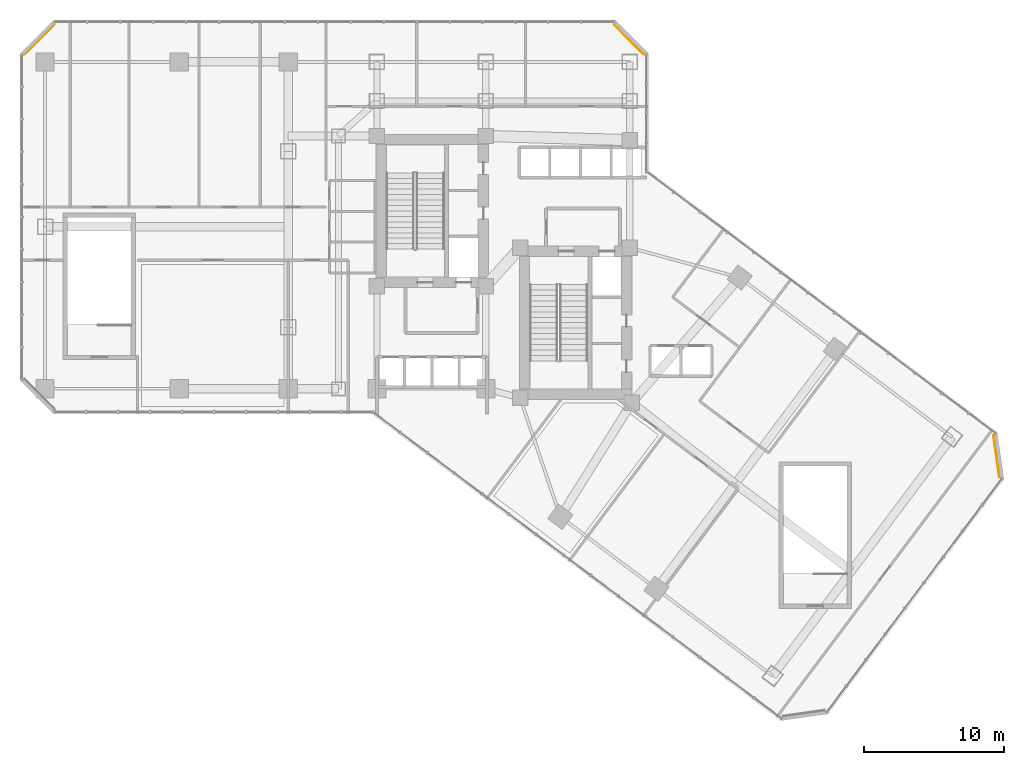
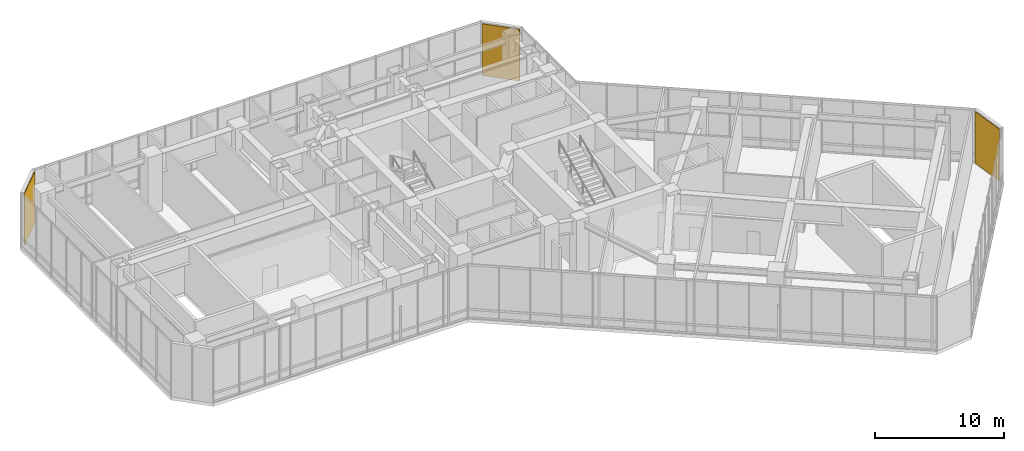
# One storey, part 38 of 38: 3 coverings.
"""IFC4 building model written with IfcOpenShell, lengths in metres."""

from ifc_helpers import new_model, si_unit, direction, frame, origin, origin_2d, place, context, subcontext, project, spatial, rectangle, extrude, material, layer, layer_set, type_object, element, save


model = new_model("IFC4")

# Units and contexts
model_context = context("Model", 3, precision=1e-05, world=origin(), true_north=direction((0.0, 1.0)))
body_context = subcontext(model_context, "Body", "Model", "MODEL_VIEW")
ifc_project = project(units=[si_unit("LENGTHUNIT", "METRE"), si_unit("AREAUNIT", "SQUARE_METRE"), si_unit("VOLUMEUNIT", "CUBIC_METRE"), si_unit("PLANEANGLEUNIT", "RADIAN"), si_unit("MASSUNIT", "GRAM", prefix="KILO")], contexts=[model_context])

# Site, building, storey
site_placement = place(None, origin())
site = spatial("IfcSite", under=ifc_project, at=site_placement, CompositionType="ELEMENT")
building_placement = place(site_placement, origin())
building = spatial("IfcBuilding", under=site, at=building_placement, Name="Hatsunagi Terrace Concourse", CompositionType="ELEMENT")
storey_placement = place(building_placement, frame((0.0, 0.0, 21.60009765625)))
storey = spatial("IfcBuildingStorey", under=building, at=storey_placement, Name="L05", CompositionType="ELEMENT", Elevation=21.60009765625)

# Coverings
ifc_material = material(Name="Unglazed Warm Terracotta Rainscreen Tile", Category="masonry")
ifc_layer = layer(ifc_material, 0.044921875)
ifc_layer_set = layer_set([ifc_layer], Name="TerracottaRainscreenCladding_45")
covering_type = type_object("IfcCoveringType", Name="TerracottaRainscreenCladding_45", PredefinedType="CLADDING", material=ifc_layer_set)
for number, where, z_axis, x_axis, name in (
    (1, (69.90087890625, 20.35791015625, 0.099853515625), (0.0, 0.0, 1.0), (0.141250262458, -0.989973920543, 0.0), "Terracotta Rainscreen Cladding L05-02"),
    (2, (1.4140625, 50.18603515625, 0.099853515625), (0.0, 0.0, 1.0), (0.707106781187, 0.707106781187, 0.0), "Terracotta Rainscreen Cladding L05-10"),
    (3, (43.5859375, 50.18603515625, 0.099853515625), (0.0, 0.0, 1.0), (0.707106781187, -0.707106781187, 0.0), "Terracotta Rainscreen Cladding L05-12"),
):
    element("IfcCovering", number, at=place(storey_placement, frame(where, z_axis=z_axis, x_axis=x_axis)), inside=storey, type_object=covering_type, Name=name, PredefinedType="CLADDING", context=body_context, shape_type="SweptSolid", body=[
        extrude(rectangle(XDim=3.0380859375, YDim=0.044921875, at=origin_2d()), origin(), (0.0, 0.0, 1.0), 4.89990234375),
    ])

save(model, "model.ifc")
